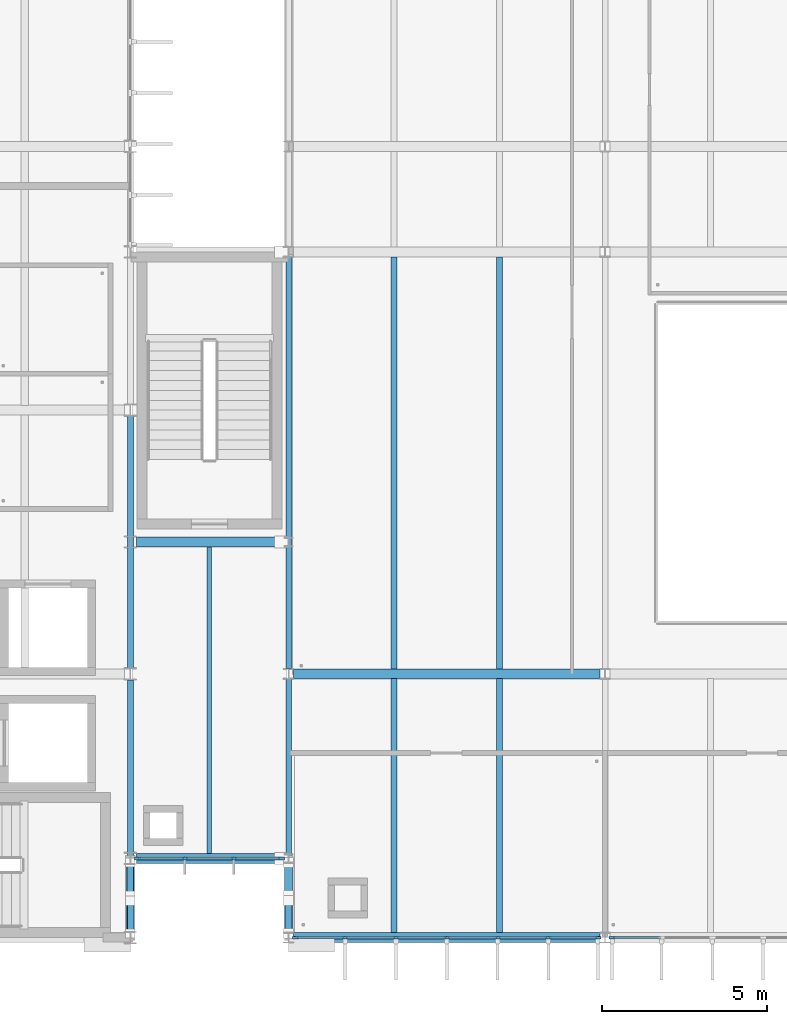
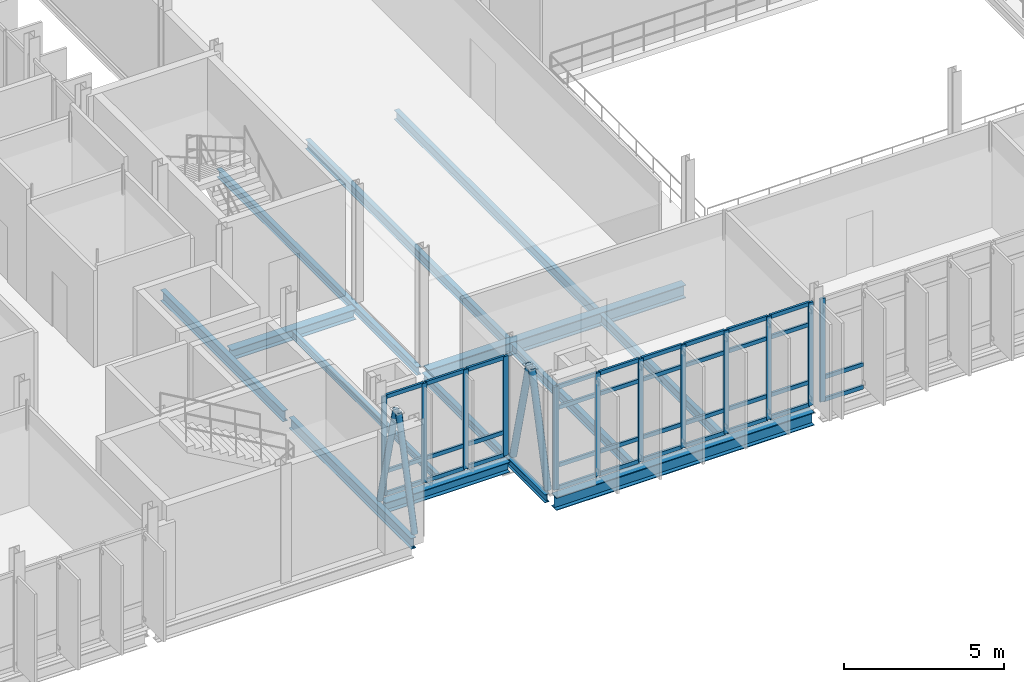
# One storey, part 21 of 110: 51 members, 13 beams, 3 elements without a shape of their own.
"""IFC4 building model written with IfcOpenShell, lengths in metres."""

import ifcopenshell
import ifcopenshell.guid

model = None  # the IFC model being written
_history = None  # IfcOwnerHistory: only IFC2X3 demands one
_inside = {}  # id of a spatial element -> (the spatial element, [elements in it])
_under = {}  # id of a project, library or spatial element -> (it, [spatial elements below it])
_declared = {}  # id of a project -> (the project, [libraries it declares])
_typed = {}  # id of a type object -> (the type object, [elements of that type])
_made_of = {}  # id of a material, layer set ... -> (it, [elements and type objects made of it])


def new_model(schema):
    """Start an empty IFC model of exactly this schema.

    Asked for "IFC4X3", IfcOpenShell would pick the latest addendum, in which some entities
    have other attributes; the version numbers below select the first issue.
    IFC2X3 requires an IfcOwnerHistory on every rooted entity: one is made here for all.
    """
    global model, _history
    if schema == "IFC4X3":
        model = ifcopenshell.file(schema_version=(4, 3, 0, 0))
    else:
        model = ifcopenshell.file(schema=schema)
    _inside.clear()
    _under.clear()
    _declared.clear()
    _typed.clear()
    _made_of.clear()
    _history = None
    if model.schema == "IFC2X3":
        org = make("IfcOrganization", Name="unknown")
        user = make(
            "IfcPersonAndOrganization",
            ThePerson=make("IfcPerson", FamilyName="unknown"),
            TheOrganization=org,
        )
        app = make(
            "IfcApplication",
            ApplicationDeveloper=org,
            Version="unknown",
            ApplicationFullName="unknown",
            ApplicationIdentifier="unknown",
        )
        _history = make(
            "IfcOwnerHistory",
            OwningUser=user,
            OwningApplication=app,
            ChangeAction="ADDED",
            CreationDate=0,
        )
    return model


def make(cls, **values):
    """One entity of the class cls with the attributes given. An attribute that is None is left unset."""
    return model.create_entity(
        cls, **{name: value for name, value in values.items() if value is not None}
    )


def rooted(cls, **values):
    """An entity with a GlobalId (a new one), such as an element, a storey or a relation."""
    return make(cls, GlobalId=ifcopenshell.guid.new(), OwnerHistory=_history, **values)


def si_unit(unit_type, name, prefix=None):
    """IfcSIUnit, for example si_unit("LENGTHUNIT", "METRE", prefix="MILLI")."""
    return make("IfcSIUnit", UnitType=unit_type, Prefix=prefix, Name=name)


def assignment(units):
    """IfcUnitAssignment: the units of a project."""
    return None if units is None else make("IfcUnitAssignment", Units=units)


def point(xyz):
    """IfcCartesianPoint."""
    return None if xyz is None else make("IfcCartesianPoint", Coordinates=xyz)


def direction(xyz):
    """IfcDirection."""
    return None if xyz is None else make("IfcDirection", DirectionRatios=xyz)


def frame(location, z_axis=None, x_axis=None):
    """IfcAxis2Placement3D, a coordinate frame: its origin and axes. An axis left out is left unset."""
    return make(
        "IfcAxis2Placement3D",
        Location=point(location),
        Axis=direction(z_axis),
        RefDirection=direction(x_axis),
    )


def frame_2d(location, x_axis=None):
    """IfcAxis2Placement2D, a coordinate frame in the plane: its origin and x axis."""
    return make(
        "IfcAxis2Placement2D", Location=point(location), RefDirection=direction(x_axis)
    )


def origin():
    """The frame at (0, 0, 0) with its axes left unset."""
    return frame((0.0, 0.0, 0.0))


def origin_2d():
    """The frame at (0, 0) in the plane with its x axis left unset."""
    return frame_2d((0.0, 0.0))


def place(relative_to, where):
    """IfcLocalPlacement: puts the frame where relative to a parent placement (None: the world)."""
    return make(
        "IfcLocalPlacement", PlacementRelTo=relative_to, RelativePlacement=where
    )


def context(
    kind, dimensions, precision=None, world=None, true_north=None, identifier=None
):
    """IfcGeometricRepresentationContext, for example the 3D "Model" context."""
    return make(
        "IfcGeometricRepresentationContext",
        ContextIdentifier=identifier,
        ContextType=kind,
        CoordinateSpaceDimension=dimensions,
        Precision=precision,
        WorldCoordinateSystem=world,
        TrueNorth=true_north,
    )


def subcontext(parent, identifier, kind, view, scale=None):
    """IfcGeometricRepresentationSubContext, for example "Body" below "Model"."""
    return make(
        "IfcGeometricRepresentationSubContext",
        ContextIdentifier=identifier,
        ContextType=kind,
        ParentContext=parent,
        TargetScale=scale,
        TargetView=view,
    )


def project(units=None, contexts=None):
    """IfcProject with its units and contexts."""
    return rooted(
        "IfcProject",
        Name="project",
        RepresentationContexts=contexts,
        UnitsInContext=assignment(units),
    )


def spatial(cls, under=None, at=None, **own):
    """A site, building, storey or space (cls), placed at a placement, below another one or the project."""
    s = rooted(cls, ObjectPlacement=at, **own)
    if under is not None:
        _under.setdefault(under.id(), (under, []))[1].append(s)
    return s


def profile(cls, at=None, kind="AREA", **sizes):
    """A parametric profile (cls). Its sizes go by their IFC names, for example OverallWidth=200.0."""
    return make(cls, ProfileType=kind, Position=at, **sizes)


def rectangle(**sizes):
    """IfcRectangleProfileDef."""
    return profile("IfcRectangleProfileDef", **sizes)


def hollow_circle(**sizes):
    """IfcCircleHollowProfileDef."""
    return profile("IfcCircleHollowProfileDef", **sizes)


def i_section(**sizes):
    """IfcIShapeProfileDef."""
    return profile("IfcIShapeProfileDef", **sizes)


def extrude(swept, where, along, depth):
    """IfcExtrudedAreaSolid: the profile swept, set in the frame where, extruded along a direction by depth."""
    return make(
        "IfcExtrudedAreaSolid",
        SweptArea=swept,
        Position=where,
        ExtrudedDirection=direction(along),
        Depth=depth,
    )


def shape(context_of_items, identifier, shape_type, items):
    """IfcShapeRepresentation: the items that make up one representation, for example the "Body"."""
    return make(
        "IfcShapeRepresentation",
        ContextOfItems=context_of_items,
        RepresentationIdentifier=identifier,
        RepresentationType=shape_type,
        Items=items,
    )


def material(Name=None, Category=None):
    """IfcMaterial."""
    return make("IfcMaterial", Name=Name, Category=Category)


def material_profile(
    of_material, cross_section, Name=None, Category=None, Priority=None
):
    """IfcMaterialProfile: a cross section and its material."""
    return make(
        "IfcMaterialProfile",
        Name=Name,
        Material=of_material,
        Profile=cross_section,
        Priority=Priority,
        Category=Category,
    )


def profile_set(profiles, Name=None, composite=None):
    """IfcMaterialProfileSet."""
    return make(
        "IfcMaterialProfileSet",
        Name=Name,
        MaterialProfiles=profiles,
        CompositeProfile=composite,
    )


def made_of(thing, what):
    """Note that an element or type object is made of a material, layer set ...; save() writes the relation."""
    if what is not None:
        _made_of.setdefault(what.id(), (what, []))[1].append(thing)
    return thing


def type_object(cls, material=None, **own):
    """A type object (cls), such as IfcWallType, which elements share."""
    return made_of(rooted(cls, **own), material)


def element(
    cls,
    number,
    at=None,
    inside=None,
    cuts=None,
    type_object=None,
    material=None,
    context=None,
    identifier="Body",
    shape_type=None,
    held_by="IfcProductDefinitionShape",
    body=None,
    shapes=None,
    **own,
):
    """One element of the class cls, such as IfcWall. Its Tag is "e" and its number.

    at: its placement. inside: the storey or other place that contains it. cuts: it is an
    opening in that element (IfcRelVoidsElement). A single representation is given by context,
    identifier, shape_type and body (its items); several are given by shapes. held_by: the class
    of the entity that holds the representations. save() writes the other relations.
    """
    e = rooted(cls, Tag="e%d" % number, ObjectPlacement=at, **own)
    if body is not None:
        shapes = [shape(context, identifier, shape_type, body)]
    if shapes is not None:
        e.Representation = make(held_by, Representations=shapes)
    if inside is not None:
        _inside.setdefault(inside.id(), (inside, []))[1].append(e)
    if cuts is not None:
        rooted(
            "IfcRelVoidsElement", RelatingBuildingElement=cuts, RelatedOpeningElement=e
        )
    if type_object is not None:
        _typed.setdefault(type_object.id(), (type_object, []))[1].append(e)
    return made_of(e, material)


def aggregate(whole, parts):
    """IfcRelAggregates: a whole, such as a stair, and the parts it consists of."""
    return rooted("IfcRelAggregates", RelatingObject=whole, RelatedObjects=parts)


def save(model, path):
    """Write the relations noted so far, then the file.

    IfcRelAggregates (storeys below a building ...), IfcRelContainedInSpatialStructure (elements
    in a storey), IfcRelDefinesByType, IfcRelAssociatesMaterial and IfcRelDeclares: one each for
    every whole, place, type object, material and project.
    """
    for whole, parts in _under.values():
        aggregate(whole, parts)
    for where, things in _inside.values():
        rooted(
            "IfcRelContainedInSpatialStructure",
            RelatedElements=things,
            RelatingStructure=where,
        )
    for kind, things in _typed.values():
        rooted("IfcRelDefinesByType", RelatedObjects=things, RelatingType=kind)
    for what, things in _made_of.values():
        rooted("IfcRelAssociatesMaterial", RelatedObjects=things, RelatingMaterial=what)
    for by, libraries in _declared.values():
        rooted("IfcRelDeclares", RelatingContext=by, RelatedDefinitions=libraries)
    model.write(path)


model = new_model("IFC4")

# Units and contexts
model_context = context("Model", 3, precision=1e-05, world=origin(), true_north=direction((0.0, 1.0)))
body_context = subcontext(model_context, "Body", "Model", "MODEL_VIEW")
ifc_project = project(units=[si_unit("LENGTHUNIT", "METRE"), si_unit("AREAUNIT", "SQUARE_METRE"), si_unit("VOLUMEUNIT", "CUBIC_METRE"), si_unit("PLANEANGLEUNIT", "RADIAN"), si_unit("MASSUNIT", "GRAM", prefix="KILO")], contexts=[model_context])

# Site, building, storey
site_placement = place(None, origin())
site = spatial("IfcSite", under=ifc_project, at=site_placement, CompositionType="ELEMENT")
building_placement = place(site_placement, origin())
building = spatial("IfcBuilding", under=site, at=building_placement, Name="Dunescarp Central Library", CompositionType="ELEMENT")
storey_placement = place(building_placement, frame((0.0, 0.0, 9.60009765625)))
storey = spatial("IfcBuildingStorey", under=building, at=storey_placement, Name="L02", CompositionType="ELEMENT", Elevation=9.60009765625)

# Curtain wall, members
ifc_material_1 = material(Name="Marine-grade anodised aluminium 6063-T6", Category="aluminium")
curtain_wall_type_1 = type_object("IfcCurtainWallType", Name="ARC-CW-STICK", PredefinedType="NOTDEFINED", material=ifc_material_1)
curtain_wall_1_placement = place(storey_placement, origin())
curtain_wall_1 = element("IfcCurtainWall", 1, at=curtain_wall_1_placement, inside=storey, type_object=curtain_wall_type_1, Name="L02 curtain wall CW-V2-054", PredefinedType="NOTDEFINED")
ifc_material_profile_1 = material_profile(ifc_material_1, rectangle(XDim=0.080078125, YDim=0.179931640625, at=origin_2d()), Name="AL 80x180")
ifc_profile_set_1 = profile_set([ifc_material_profile_1], Name="Marine-grade anodised aluminium 6063-T6")
member_type_1 = type_object("IfcMemberType", Name="ARC-CWM-180", PredefinedType="MULLION", material=ifc_profile_set_1)
member_1_placement = place(storey_placement, frame((47.784912109375, 4.800048828125, 0.0), z_axis=(0.0, 0.0, 1.0), x_axis=(0.0, -1.0, 0.0)))
member_1 = element("IfcMember", 2, at=member_1_placement, type_object=member_type_1, Name="CW-V2-054 mullion 1", PredefinedType="MULLION", context=body_context, shape_type="SweptSolid", body=[
    extrude(rectangle(XDim=0.080078125, YDim=0.179931640625, at=origin_2d()), origin(), (0.0, 0.0, 1.0), 3.9248046875),
])
member_2_placement = place(storey_placement, frame((46.283447265625, 4.800048828125, 0.0), z_axis=(0.0, 0.0, 1.0), x_axis=(0.0, -1.0, 0.0)))
member_2 = element("IfcMember", 3, at=member_2_placement, type_object=member_type_1, Name="CW-V2-054 mullion 2", PredefinedType="MULLION", context=body_context, shape_type="SweptSolid", body=[
    extrude(rectangle(XDim=0.080078125, YDim=0.179931640625, at=origin_2d()), origin(), (0.0, 0.0, 1.0), 3.9248046875),
])
member_3_placement = place(storey_placement, frame((44.74169921875, 4.800048828125, 0.0), z_axis=(0.0, 0.0, 1.0), x_axis=(0.0, -1.0, 0.0)))
member_3 = element("IfcMember", 4, at=member_3_placement, type_object=member_type_1, Name="CW-V2-054 mullion 3", PredefinedType="MULLION", context=body_context, shape_type="SweptSolid", body=[
    extrude(rectangle(XDim=0.080078125, YDim=0.179931640625, at=origin_2d()), origin(), (0.0, 0.0, 1.0), 3.9248046875),
])
member_4_placement = place(storey_placement, frame((43.199951171875, 4.800048828125, 0.0), z_axis=(0.0, 0.0, 1.0), x_axis=(0.0, -1.0, 0.0)))
member_4 = element("IfcMember", 5, at=member_4_placement, type_object=member_type_1, Name="CW-V2-054 mullion 4", PredefinedType="MULLION", context=body_context, shape_type="SweptSolid", body=[
    extrude(rectangle(XDim=0.080078125, YDim=0.179931640625, at=origin_2d()), origin(), (0.0, 0.0, 1.0), 3.9248046875),
])
member_5_placement = place(storey_placement, frame((41.658447265625, 4.800048828125, 0.0), z_axis=(0.0, 0.0, 1.0), x_axis=(0.0, -1.0, 0.0)))
member_5 = element("IfcMember", 6, at=member_5_placement, type_object=member_type_1, Name="CW-V2-054 mullion 5", PredefinedType="MULLION", context=body_context, shape_type="SweptSolid", body=[
    extrude(rectangle(XDim=0.080078125, YDim=0.179931640625, at=origin_2d()), origin(), (0.0, 0.0, 1.0), 3.9248046875),
])
member_6_placement = place(storey_placement, frame((40.11669921875, 4.800048828125, 0.0), z_axis=(0.0, 0.0, 1.0), x_axis=(0.0, -1.0, 0.0)))
member_6 = element("IfcMember", 7, at=member_6_placement, type_object=member_type_1, Name="CW-V2-054 mullion 6", PredefinedType="MULLION", context=body_context, shape_type="SweptSolid", body=[
    extrude(rectangle(XDim=0.080078125, YDim=0.179931640625, at=origin_2d()), origin(), (0.0, 0.0, 1.0), 3.9248046875),
])
member_7_placement = place(storey_placement, frame((38.614990234375, 4.800048828125, 0.0), z_axis=(0.0, 0.0, 1.0), x_axis=(0.0, -1.0, 0.0)))
member_7 = element("IfcMember", 8, at=member_7_placement, type_object=member_type_1, Name="CW-V2-054 mullion 7", PredefinedType="MULLION", context=body_context, shape_type="SweptSolid", body=[
    extrude(rectangle(XDim=0.080078125, YDim=0.179931640625, at=origin_2d()), origin(), (0.0, 0.0, 1.0), 3.9248046875),
])

# Curtain wall, member
curtain_wall_2_placement = place(storey_placement, origin())
curtain_wall_2 = element("IfcCurtainWall", 9, at=curtain_wall_2_placement, inside=storey, type_object=curtain_wall_type_1, Name="L02 curtain wall CW-V2-055", PredefinedType="NOTDEFINED")
member_8_placement = place(storey_placement, frame((48.215087890625, 4.800048828125, 0.0), z_axis=(0.0, 0.0, 1.0), x_axis=(0.0, -1.0, 0.0)))
member_8 = element("IfcMember", 10, at=member_8_placement, type_object=member_type_1, Name="CW-V2-055 mullion 7", PredefinedType="MULLION", context=body_context, shape_type="SweptSolid", body=[
    extrude(rectangle(XDim=0.080078125, YDim=0.179931640625, at=origin_2d()), origin(), (0.0, 0.0, 1.0), 3.9248046875),
])

# Curtain wall, members
curtain_wall_type_2 = type_object("IfcCurtainWallType", Name="ARC-CW-LINK", PredefinedType="USERDEFINED", material=ifc_material_1)
curtain_wall_3_placement = place(storey_placement, origin())
curtain_wall_3 = element("IfcCurtainWall", 11, at=curtain_wall_3_placement, inside=storey, type_object=curtain_wall_type_2, Name="L02 curtain wall CW-GL1-S-L02", ObjectType="GLAZED_LINK_WALL", PredefinedType="USERDEFINED")
member_9_placement = place(storey_placement, frame((38.18505859375, 7.199951171875, 0.0), z_axis=(0.0, 0.0, 1.0), x_axis=(0.0, -1.0, 0.0)))
member_9 = element("IfcMember", 12, at=member_9_placement, type_object=member_type_1, Name="CW-GL1-S-L02 mullion 1", PredefinedType="MULLION", context=body_context, shape_type="SweptSolid", body=[
    extrude(rectangle(XDim=0.080078125, YDim=0.179931640625, at=origin_2d()), origin(), (0.0, 0.0, 1.0), 3.784912109375),
])
member_10_placement = place(storey_placement, frame((36.74169921875, 7.199951171875, 0.0), z_axis=(0.0, 0.0, 1.0), x_axis=(0.0, -1.0, 0.0)))
member_10 = element("IfcMember", 13, at=member_10_placement, type_object=member_type_1, Name="CW-GL1-S-L02 mullion 2", PredefinedType="MULLION", context=body_context, shape_type="SweptSolid", body=[
    extrude(rectangle(XDim=0.080078125, YDim=0.179931640625, at=origin_2d()), origin(), (0.0, 0.0, 1.0), 3.784912109375),
])
member_11_placement = place(storey_placement, frame((35.25830078125, 7.199951171875, 0.0), z_axis=(0.0, 0.0, 1.0), x_axis=(0.0, -1.0, 0.0)))
member_11 = element("IfcMember", 14, at=member_11_placement, type_object=member_type_1, Name="CW-GL1-S-L02 mullion 3", PredefinedType="MULLION", context=body_context, shape_type="SweptSolid", body=[
    extrude(rectangle(XDim=0.080078125, YDim=0.179931640625, at=origin_2d()), origin(), (0.0, 0.0, 1.0), 3.784912109375),
])
member_12_placement = place(storey_placement, frame((33.81494140625, 7.199951171875, 0.0), z_axis=(0.0, 0.0, 1.0), x_axis=(0.0, -1.0, 0.0)))
member_12 = element("IfcMember", 15, at=member_12_placement, type_object=member_type_1, Name="CW-GL1-S-L02 mullion 4", PredefinedType="MULLION", context=body_context, shape_type="SweptSolid", body=[
    extrude(rectangle(XDim=0.080078125, YDim=0.179931640625, at=origin_2d()), origin(), (0.0, 0.0, 1.0), 3.784912109375),
])

# Member
ifc_material_profile_2 = material_profile(ifc_material_1, rectangle(XDim=0.080078125, YDim=0.14990234375, at=origin_2d()), Name="AL 80x150")
ifc_profile_set_2 = profile_set([ifc_material_profile_2], Name="Marine-grade anodised aluminium 6063-T6")
member_type_2 = type_object("IfcMemberType", Name="ARC-CWT-150", PredefinedType="USERDEFINED", material=ifc_profile_set_2)
member_13_placement = place(storey_placement, frame((47.7451171875, 4.800048828125, 0.039794921875), z_axis=(-1.0, 0.0, 0.0), x_axis=(0.0, -1.0, 0.0)))
member_13 = element("IfcMember", 16, at=member_13_placement, type_object=member_type_2, Name="CW-V2-054 transom 1.1", ObjectType="TRANSOM", PredefinedType="USERDEFINED", context=body_context, shape_type="SweptSolid", body=[
    extrude(rectangle(XDim=0.080078125, YDim=0.14990234375, at=origin_2d()), origin(), (0.0, 0.0, 1.0), 1.421875),
])

member_14_placement = place(storey_placement, frame((47.7451171875, 4.800048828125, 0.89990234375), z_axis=(-1.0, 0.0, 0.0), x_axis=(0.0, -1.0, 0.0)))
member_14 = element("IfcMember", 17, at=member_14_placement, type_object=member_type_2, Name="CW-V2-054 transom 1.2", ObjectType="TRANSOM", PredefinedType="USERDEFINED", context=body_context, shape_type="SweptSolid", body=[
    extrude(rectangle(XDim=0.080078125, YDim=0.14990234375, at=origin_2d()), origin(), (0.0, 0.0, 1.0), 1.421875),
])

member_15_placement = place(storey_placement, frame((47.7451171875, 4.800048828125, 3.099853515625), z_axis=(-1.0, 0.0, 0.0), x_axis=(0.0, -1.0, 0.0)))
member_15 = element("IfcMember", 18, at=member_15_placement, type_object=member_type_2, Name="CW-V2-054 transom 1.3", ObjectType="TRANSOM", PredefinedType="USERDEFINED", context=body_context, shape_type="SweptSolid", body=[
    extrude(rectangle(XDim=0.080078125, YDim=0.14990234375, at=origin_2d()), origin(), (0.0, 0.0, 1.0), 1.421875),
])

member_16_placement = place(storey_placement, frame((47.7451171875, 4.800048828125, 3.885009765625), z_axis=(-1.0, 0.0, 0.0), x_axis=(0.0, -1.0, 0.0)))
member_16 = element("IfcMember", 19, at=member_16_placement, type_object=member_type_2, Name="CW-V2-054 transom 1.4", ObjectType="TRANSOM", PredefinedType="USERDEFINED", context=body_context, shape_type="SweptSolid", body=[
    extrude(rectangle(XDim=0.080078125, YDim=0.14990234375, at=origin_2d()), origin(), (0.0, 0.0, 1.0), 1.421875),
])

member_17_placement = place(storey_placement, frame((46.243408203125, 4.800048828125, 0.039794921875), z_axis=(-1.0, 0.0, 0.0), x_axis=(0.0, -1.0, 0.0)))
member_17 = element("IfcMember", 20, at=member_17_placement, type_object=member_type_2, Name="CW-V2-054 transom 2.1", ObjectType="TRANSOM", PredefinedType="USERDEFINED", context=body_context, shape_type="SweptSolid", body=[
    extrude(rectangle(XDim=0.080078125, YDim=0.14990234375, at=origin_2d()), origin(), (0.0, 0.0, 1.0), 1.461669921875),
])

member_18_placement = place(storey_placement, frame((46.243408203125, 4.800048828125, 0.89990234375), z_axis=(-1.0, 0.0, 0.0), x_axis=(0.0, -1.0, 0.0)))
member_18 = element("IfcMember", 21, at=member_18_placement, type_object=member_type_2, Name="CW-V2-054 transom 2.2", ObjectType="TRANSOM", PredefinedType="USERDEFINED", context=body_context, shape_type="SweptSolid", body=[
    extrude(rectangle(XDim=0.080078125, YDim=0.14990234375, at=origin_2d()), origin(), (0.0, 0.0, 1.0), 1.461669921875),
])

member_19_placement = place(storey_placement, frame((46.243408203125, 4.800048828125, 3.099853515625), z_axis=(-1.0, 0.0, 0.0), x_axis=(0.0, -1.0, 0.0)))
member_19 = element("IfcMember", 22, at=member_19_placement, type_object=member_type_2, Name="CW-V2-054 transom 2.3", ObjectType="TRANSOM", PredefinedType="USERDEFINED", context=body_context, shape_type="SweptSolid", body=[
    extrude(rectangle(XDim=0.080078125, YDim=0.14990234375, at=origin_2d()), origin(), (0.0, 0.0, 1.0), 1.461669921875),
])

member_20_placement = place(storey_placement, frame((46.243408203125, 4.800048828125, 3.885009765625), z_axis=(-1.0, 0.0, 0.0), x_axis=(0.0, -1.0, 0.0)))
member_20 = element("IfcMember", 23, at=member_20_placement, type_object=member_type_2, Name="CW-V2-054 transom 2.4", ObjectType="TRANSOM", PredefinedType="USERDEFINED", context=body_context, shape_type="SweptSolid", body=[
    extrude(rectangle(XDim=0.080078125, YDim=0.14990234375, at=origin_2d()), origin(), (0.0, 0.0, 1.0), 1.461669921875),
])

member_21_placement = place(storey_placement, frame((44.70166015625, 4.800048828125, 0.039794921875), z_axis=(-1.0, 0.0, 0.0), x_axis=(0.0, -1.0, 0.0)))
member_21 = element("IfcMember", 24, at=member_21_placement, type_object=member_type_2, Name="CW-V2-054 transom 3.1", ObjectType="TRANSOM", PredefinedType="USERDEFINED", context=body_context, shape_type="SweptSolid", body=[
    extrude(rectangle(XDim=0.080078125, YDim=0.14990234375, at=origin_2d()), origin(), (0.0, 0.0, 1.0), 1.461669921875),
])

member_22_placement = place(storey_placement, frame((44.70166015625, 4.800048828125, 0.89990234375), z_axis=(-1.0, 0.0, 0.0), x_axis=(0.0, -1.0, 0.0)))
member_22 = element("IfcMember", 25, at=member_22_placement, type_object=member_type_2, Name="CW-V2-054 transom 3.2", ObjectType="TRANSOM", PredefinedType="USERDEFINED", context=body_context, shape_type="SweptSolid", body=[
    extrude(rectangle(XDim=0.080078125, YDim=0.14990234375, at=origin_2d()), origin(), (0.0, 0.0, 1.0), 1.461669921875),
])

member_23_placement = place(storey_placement, frame((44.70166015625, 4.800048828125, 3.099853515625), z_axis=(-1.0, 0.0, 0.0), x_axis=(0.0, -1.0, 0.0)))
member_23 = element("IfcMember", 26, at=member_23_placement, type_object=member_type_2, Name="CW-V2-054 transom 3.3", ObjectType="TRANSOM", PredefinedType="USERDEFINED", context=body_context, shape_type="SweptSolid", body=[
    extrude(rectangle(XDim=0.080078125, YDim=0.14990234375, at=origin_2d()), origin(), (0.0, 0.0, 1.0), 1.461669921875),
])

member_24_placement = place(storey_placement, frame((44.70166015625, 4.800048828125, 3.885009765625), z_axis=(-1.0, 0.0, 0.0), x_axis=(0.0, -1.0, 0.0)))
member_24 = element("IfcMember", 27, at=member_24_placement, type_object=member_type_2, Name="CW-V2-054 transom 3.4", ObjectType="TRANSOM", PredefinedType="USERDEFINED", context=body_context, shape_type="SweptSolid", body=[
    extrude(rectangle(XDim=0.080078125, YDim=0.14990234375, at=origin_2d()), origin(), (0.0, 0.0, 1.0), 1.461669921875),
])

member_25_placement = place(storey_placement, frame((43.159912109375, 4.800048828125, 0.039794921875), z_axis=(-1.0, 0.0, 0.0), x_axis=(0.0, -1.0, 0.0)))
member_25 = element("IfcMember", 28, at=member_25_placement, type_object=member_type_2, Name="CW-V2-054 transom 4.1", ObjectType="TRANSOM", PredefinedType="USERDEFINED", context=body_context, shape_type="SweptSolid", body=[
    extrude(rectangle(XDim=0.080078125, YDim=0.14990234375, at=origin_2d()), origin(), (0.0, 0.0, 1.0), 1.461669921875),
])

member_26_placement = place(storey_placement, frame((43.159912109375, 4.800048828125, 0.89990234375), z_axis=(-1.0, 0.0, 0.0), x_axis=(0.0, -1.0, 0.0)))
member_26 = element("IfcMember", 29, at=member_26_placement, type_object=member_type_2, Name="CW-V2-054 transom 4.2", ObjectType="TRANSOM", PredefinedType="USERDEFINED", context=body_context, shape_type="SweptSolid", body=[
    extrude(rectangle(XDim=0.080078125, YDim=0.14990234375, at=origin_2d()), origin(), (0.0, 0.0, 1.0), 1.461669921875),
])

member_27_placement = place(storey_placement, frame((43.159912109375, 4.800048828125, 3.099853515625), z_axis=(-1.0, 0.0, 0.0), x_axis=(0.0, -1.0, 0.0)))
member_27 = element("IfcMember", 30, at=member_27_placement, type_object=member_type_2, Name="CW-V2-054 transom 4.3", ObjectType="TRANSOM", PredefinedType="USERDEFINED", context=body_context, shape_type="SweptSolid", body=[
    extrude(rectangle(XDim=0.080078125, YDim=0.14990234375, at=origin_2d()), origin(), (0.0, 0.0, 1.0), 1.461669921875),
])

member_28_placement = place(storey_placement, frame((43.159912109375, 4.800048828125, 3.885009765625), z_axis=(-1.0, 0.0, 0.0), x_axis=(0.0, -1.0, 0.0)))
member_28 = element("IfcMember", 31, at=member_28_placement, type_object=member_type_2, Name="CW-V2-054 transom 4.4", ObjectType="TRANSOM", PredefinedType="USERDEFINED", context=body_context, shape_type="SweptSolid", body=[
    extrude(rectangle(XDim=0.080078125, YDim=0.14990234375, at=origin_2d()), origin(), (0.0, 0.0, 1.0), 1.461669921875),
])

member_29_placement = place(storey_placement, frame((41.618408203125, 4.800048828125, 0.039794921875), z_axis=(-1.0, 0.0, 0.0), x_axis=(0.0, -1.0, 0.0)))
member_29 = element("IfcMember", 32, at=member_29_placement, type_object=member_type_2, Name="CW-V2-054 transom 5.1", ObjectType="TRANSOM", PredefinedType="USERDEFINED", context=body_context, shape_type="SweptSolid", body=[
    extrude(rectangle(XDim=0.080078125, YDim=0.14990234375, at=origin_2d()), origin(), (0.0, 0.0, 1.0), 1.461669921875),
])

member_30_placement = place(storey_placement, frame((41.618408203125, 4.800048828125, 0.89990234375), z_axis=(-1.0, 0.0, 0.0), x_axis=(0.0, -1.0, 0.0)))
member_30 = element("IfcMember", 33, at=member_30_placement, type_object=member_type_2, Name="CW-V2-054 transom 5.2", ObjectType="TRANSOM", PredefinedType="USERDEFINED", context=body_context, shape_type="SweptSolid", body=[
    extrude(rectangle(XDim=0.080078125, YDim=0.14990234375, at=origin_2d()), origin(), (0.0, 0.0, 1.0), 1.461669921875),
])

member_31_placement = place(storey_placement, frame((41.618408203125, 4.800048828125, 3.099853515625), z_axis=(-1.0, 0.0, 0.0), x_axis=(0.0, -1.0, 0.0)))
member_31 = element("IfcMember", 34, at=member_31_placement, type_object=member_type_2, Name="CW-V2-054 transom 5.3", ObjectType="TRANSOM", PredefinedType="USERDEFINED", context=body_context, shape_type="SweptSolid", body=[
    extrude(rectangle(XDim=0.080078125, YDim=0.14990234375, at=origin_2d()), origin(), (0.0, 0.0, 1.0), 1.461669921875),
])

member_32_placement = place(storey_placement, frame((41.618408203125, 4.800048828125, 3.885009765625), z_axis=(-1.0, 0.0, 0.0), x_axis=(0.0, -1.0, 0.0)))
member_32 = element("IfcMember", 35, at=member_32_placement, type_object=member_type_2, Name="CW-V2-054 transom 5.4", ObjectType="TRANSOM", PredefinedType="USERDEFINED", context=body_context, shape_type="SweptSolid", body=[
    extrude(rectangle(XDim=0.080078125, YDim=0.14990234375, at=origin_2d()), origin(), (0.0, 0.0, 1.0), 1.461669921875),
])

member_33_placement = place(storey_placement, frame((40.07666015625, 4.800048828125, 0.039794921875), z_axis=(-1.0, 0.0, 0.0), x_axis=(0.0, -1.0, 0.0)))
member_33 = element("IfcMember", 36, at=member_33_placement, type_object=member_type_2, Name="CW-V2-054 transom 6.1", ObjectType="TRANSOM", PredefinedType="USERDEFINED", context=body_context, shape_type="SweptSolid", body=[
    extrude(rectangle(XDim=0.080078125, YDim=0.14990234375, at=origin_2d()), origin(), (0.0, 0.0, 1.0), 1.421630859375),
])

member_34_placement = place(storey_placement, frame((40.07666015625, 4.800048828125, 0.89990234375), z_axis=(-1.0, 0.0, 0.0), x_axis=(0.0, -1.0, 0.0)))
member_34 = element("IfcMember", 37, at=member_34_placement, type_object=member_type_2, Name="CW-V2-054 transom 6.2", ObjectType="TRANSOM", PredefinedType="USERDEFINED", context=body_context, shape_type="SweptSolid", body=[
    extrude(rectangle(XDim=0.080078125, YDim=0.14990234375, at=origin_2d()), origin(), (0.0, 0.0, 1.0), 1.421630859375),
])

member_35_placement = place(storey_placement, frame((40.07666015625, 4.800048828125, 3.099853515625), z_axis=(-1.0, 0.0, 0.0), x_axis=(0.0, -1.0, 0.0)))
member_35 = element("IfcMember", 38, at=member_35_placement, type_object=member_type_2, Name="CW-V2-054 transom 6.3", ObjectType="TRANSOM", PredefinedType="USERDEFINED", context=body_context, shape_type="SweptSolid", body=[
    extrude(rectangle(XDim=0.080078125, YDim=0.14990234375, at=origin_2d()), origin(), (0.0, 0.0, 1.0), 1.421630859375),
])

member_36_placement = place(storey_placement, frame((40.07666015625, 4.800048828125, 3.885009765625), z_axis=(-1.0, 0.0, 0.0), x_axis=(0.0, -1.0, 0.0)))
member_36 = element("IfcMember", 39, at=member_36_placement, type_object=member_type_2, Name="CW-V2-054 transom 6.4", ObjectType="TRANSOM", PredefinedType="USERDEFINED", context=body_context, shape_type="SweptSolid", body=[
    extrude(rectangle(XDim=0.080078125, YDim=0.14990234375, at=origin_2d()), origin(), (0.0, 0.0, 1.0), 1.421630859375),
])

aggregate(curtain_wall_1, [member_1, member_2, member_3, member_4, member_5, member_6, member_7, member_13, member_14, member_15, member_16, member_17, member_18, member_19, member_20, member_21, member_22, member_23, member_24, member_25, member_26, member_27, member_28, member_29, member_30, member_31, member_32, member_33, member_34, member_35, member_36])

member_37_placement = place(storey_placement, frame((49.6767578125, 4.800048828125, 0.039794921875), z_axis=(-1.0, 0.0, 0.0), x_axis=(0.0, -1.0, 0.0)))
member_37 = element("IfcMember", 40, at=member_37_placement, type_object=member_type_2, Name="CW-V2-055 transom 6.1", ObjectType="TRANSOM", PredefinedType="USERDEFINED", context=body_context, shape_type="SweptSolid", body=[
    extrude(rectangle(XDim=0.080078125, YDim=0.14990234375, at=origin_2d()), origin(), (0.0, 0.0, 1.0), 1.421875),
])

member_38_placement = place(storey_placement, frame((49.6767578125, 4.800048828125, 0.89990234375), z_axis=(-1.0, 0.0, 0.0), x_axis=(0.0, -1.0, 0.0)))
member_38 = element("IfcMember", 41, at=member_38_placement, type_object=member_type_2, Name="CW-V2-055 transom 6.2", ObjectType="TRANSOM", PredefinedType="USERDEFINED", context=body_context, shape_type="SweptSolid", body=[
    extrude(rectangle(XDim=0.080078125, YDim=0.14990234375, at=origin_2d()), origin(), (0.0, 0.0, 1.0), 1.421875),
])

aggregate(curtain_wall_2, [member_8, member_37, member_38])

member_39_placement = place(storey_placement, frame((38.14501953125, 7.199951171875, 0.039794921875), z_axis=(-1.0, 0.0, 0.0), x_axis=(0.0, -1.0, 0.0)))
member_39 = element("IfcMember", 42, at=member_39_placement, type_object=member_type_2, Name="CW-GL1-S-L02 transom 1.1", ObjectType="TRANSOM", PredefinedType="USERDEFINED", context=body_context, shape_type="SweptSolid", body=[
    extrude(rectangle(XDim=0.080078125, YDim=0.14990234375, at=origin_2d()), origin(), (0.0, 0.0, 1.0), 1.36328125),
])

member_40_placement = place(storey_placement, frame((38.14501953125, 7.199951171875, 0.89990234375), z_axis=(-1.0, 0.0, 0.0), x_axis=(0.0, -1.0, 0.0)))
member_40 = element("IfcMember", 43, at=member_40_placement, type_object=member_type_2, Name="CW-GL1-S-L02 transom 1.2", ObjectType="TRANSOM", PredefinedType="USERDEFINED", context=body_context, shape_type="SweptSolid", body=[
    extrude(rectangle(XDim=0.080078125, YDim=0.14990234375, at=origin_2d()), origin(), (0.0, 0.0, 1.0), 1.36328125),
])

member_41_placement = place(storey_placement, frame((38.14501953125, 7.199951171875, 3.744873046875), z_axis=(-1.0, 0.0, 0.0), x_axis=(0.0, -1.0, 0.0)))
member_41 = element("IfcMember", 44, at=member_41_placement, type_object=member_type_2, Name="CW-GL1-S-L02 transom 1.3", ObjectType="TRANSOM", PredefinedType="USERDEFINED", context=body_context, shape_type="SweptSolid", body=[
    extrude(rectangle(XDim=0.080078125, YDim=0.14990234375, at=origin_2d()), origin(), (0.0, 0.0, 1.0), 1.36328125),
])

member_42_placement = place(storey_placement, frame((36.70166015625, 7.199951171875, 0.039794921875), z_axis=(-1.0, 0.0, 0.0), x_axis=(0.0, -1.0, 0.0)))
member_42 = element("IfcMember", 45, at=member_42_placement, type_object=member_type_2, Name="CW-GL1-S-L02 transom 2.1", ObjectType="TRANSOM", PredefinedType="USERDEFINED", context=body_context, shape_type="SweptSolid", body=[
    extrude(rectangle(XDim=0.080078125, YDim=0.14990234375, at=origin_2d()), origin(), (0.0, 0.0, 1.0), 1.4033203125),
])

member_43_placement = place(storey_placement, frame((36.70166015625, 7.199951171875, 0.89990234375), z_axis=(-1.0, 0.0, 0.0), x_axis=(0.0, -1.0, 0.0)))
member_43 = element("IfcMember", 46, at=member_43_placement, type_object=member_type_2, Name="CW-GL1-S-L02 transom 2.2", ObjectType="TRANSOM", PredefinedType="USERDEFINED", context=body_context, shape_type="SweptSolid", body=[
    extrude(rectangle(XDim=0.080078125, YDim=0.14990234375, at=origin_2d()), origin(), (0.0, 0.0, 1.0), 1.4033203125),
])

member_44_placement = place(storey_placement, frame((36.70166015625, 7.199951171875, 3.744873046875), z_axis=(-1.0, 0.0, 0.0), x_axis=(0.0, -1.0, 0.0)))
member_44 = element("IfcMember", 47, at=member_44_placement, type_object=member_type_2, Name="CW-GL1-S-L02 transom 2.3", ObjectType="TRANSOM", PredefinedType="USERDEFINED", context=body_context, shape_type="SweptSolid", body=[
    extrude(rectangle(XDim=0.080078125, YDim=0.14990234375, at=origin_2d()), origin(), (0.0, 0.0, 1.0), 1.4033203125),
])

member_45_placement = place(storey_placement, frame((35.21826171875, 7.199951171875, 0.039794921875), z_axis=(-1.0, 0.0, 0.0), x_axis=(0.0, -1.0, 0.0)))
member_45 = element("IfcMember", 48, at=member_45_placement, type_object=member_type_2, Name="CW-GL1-S-L02 transom 3.1", ObjectType="TRANSOM", PredefinedType="USERDEFINED", context=body_context, shape_type="SweptSolid", body=[
    extrude(rectangle(XDim=0.080078125, YDim=0.14990234375, at=origin_2d()), origin(), (0.0, 0.0, 1.0), 1.36328125),
])

member_46_placement = place(storey_placement, frame((35.21826171875, 7.199951171875, 0.89990234375), z_axis=(-1.0, 0.0, 0.0), x_axis=(0.0, -1.0, 0.0)))
member_46 = element("IfcMember", 49, at=member_46_placement, type_object=member_type_2, Name="CW-GL1-S-L02 transom 3.2", ObjectType="TRANSOM", PredefinedType="USERDEFINED", context=body_context, shape_type="SweptSolid", body=[
    extrude(rectangle(XDim=0.080078125, YDim=0.14990234375, at=origin_2d()), origin(), (0.0, 0.0, 1.0), 1.36328125),
])

member_47_placement = place(storey_placement, frame((35.21826171875, 7.199951171875, 3.744873046875), z_axis=(-1.0, 0.0, 0.0), x_axis=(0.0, -1.0, 0.0)))
member_47 = element("IfcMember", 50, at=member_47_placement, type_object=member_type_2, Name="CW-GL1-S-L02 transom 3.3", ObjectType="TRANSOM", PredefinedType="USERDEFINED", context=body_context, shape_type="SweptSolid", body=[
    extrude(rectangle(XDim=0.080078125, YDim=0.14990234375, at=origin_2d()), origin(), (0.0, 0.0, 1.0), 1.36328125),
])

aggregate(curtain_wall_3, [member_9, member_10, member_11, member_12, member_39, member_40, member_41, member_42, member_43, member_44, member_45, member_46, member_47])

# Beams
ifc_material_2 = material(Name="Steel S355JR", Category="steel")
ifc_material_profile_3 = material_profile(ifc_material_2, i_section(OverallWidth=0.300048828125, OverallDepth=0.389892578125, WebThickness=0.010986328125, FlangeThickness=0.01904296875, at=origin_2d()), Name="HEA 400")
ifc_profile_set_3 = profile_set([ifc_material_profile_3], Name="Steel S355JR")
beam_type_1 = type_object("IfcBeamType", Name="STR-BM-HEA400", PredefinedType="BEAM", material=ifc_profile_set_3)
for number, where, z_axis, x_axis, name in (
    (51, (33.783935546875, 7.199951171875, -0.405029296875), (1.0, 0.0, 0.0), (0.0, 1.0, 0.0), "L02 girder BM-L02-1219"),
    (52, (33.783935546875, 16.800048828125, -0.405029296875), (1.0, 0.0, 0.0), (0.0, 1.0, 0.0), "L02 girder BM-L02-1220"),
):
    element("IfcBeam", number, at=place(storey_placement, frame(where, z_axis=z_axis, x_axis=x_axis)), inside=storey, type_object=beam_type_1, Name=name, PredefinedType="BEAM", context=body_context, shape_type="SweptSolid", body=[
        extrude(i_section(OverallWidth=0.300048828125, OverallDepth=0.389892578125, WebThickness=0.010986328125, FlangeThickness=0.01904296875, at=origin_2d()), origin(), (0.0, 0.0, 1.0), 4.489990234375),
    ])
ifc_material_profile_4 = material_profile(ifc_material_2, i_section(OverallWidth=0.300048828125, OverallDepth=0.5, WebThickness=0.014404296875, FlangeThickness=0.028076171875, at=origin_2d()), Name="HEB 500")
ifc_profile_set_4 = profile_set([ifc_material_profile_4], Name="Steel S355JR")
beam_type_2 = type_object("IfcBeamType", Name="STR-BM-HEB500", PredefinedType="BEAM", material=ifc_profile_set_4)
for number, where, z_axis, x_axis, name in (
    (53, (38.552001953125, 4.800048828125, -0.460205078125), (1.0, 0.0, 0.0), (0.0, 1.0, 0.0), "L02 girder BM-L02-0403"),
    (54, (38.552001953125, 12.800048828125, -0.460205078125), (1.0, 0.0, 0.0), (0.0, 1.0, 0.0), "L02 girder BM-L02-0404"),
):
    element("IfcBeam", number, at=place(storey_placement, frame(where, z_axis=z_axis, x_axis=x_axis)), inside=storey, type_object=beam_type_2, Name=name, PredefinedType="BEAM", context=body_context, shape_type="SweptSolid", body=[
        extrude(i_section(OverallWidth=0.300048828125, OverallDepth=0.5, WebThickness=0.014404296875, FlangeThickness=0.028076171875, at=origin_2d()), origin(), (0.0, 0.0, 1.0), 9.2958984375),
    ])
ifc_material_profile_5 = material_profile(ifc_material_2, i_section(OverallWidth=0.1669921875, OverallDepth=0.310302734375, WebThickness=0.0078125, FlangeThickness=0.013671875, at=origin_2d()), Name="UB 305x165x54")
ifc_profile_set_5 = profile_set([ifc_material_profile_5], Name="Steel S355JR")
beam_type_3 = type_object("IfcBeamType", Name="STR-BM-UB305X54", PredefinedType="BEAM", material=ifc_profile_set_5)
beam_1_placement = place(storey_placement, frame((38.39990234375, 4.95703125, -0.364990234375), z_axis=(0.0, 1.0, 0.0), x_axis=(-1.0, 0.0, 0.0)))
element("IfcBeam", 55, at=beam_1_placement, inside=storey, type_object=beam_type_3, Name="L02 girder BM-L02-0405", PredefinedType="BEAM", context=body_context, shape_type="SweptSolid", body=[
    extrude(i_section(OverallWidth=0.1669921875, OverallDepth=0.310302734375, WebThickness=0.0078125, FlangeThickness=0.013671875, at=origin_2d()), origin(), (0.0, 0.0, 1.0), 7.68603515625),
])
beam_2_placement = place(storey_placement, frame((38.39990234375, 12.95703125, -0.364990234375), z_axis=(0.0, 1.0, 0.0), x_axis=(-1.0, 0.0, 0.0)))
element("IfcBeam", 56, at=beam_2_placement, inside=storey, type_object=beam_type_3, Name="L02 girder BM-L02-0410", PredefinedType="BEAM", context=body_context, shape_type="SweptSolid", body=[
    extrude(i_section(OverallWidth=0.1669921875, OverallDepth=0.310302734375, WebThickness=0.0078125, FlangeThickness=0.013671875, at=origin_2d()), origin(), (0.0, 0.0, 1.0), 12.486083984375),
])
ifc_material_profile_6 = material_profile(ifc_material_2, i_section(OverallWidth=0.179443359375, OverallDepth=0.412841796875, WebThickness=0.009521484375, FlangeThickness=0.01611328125, at=origin_2d()), Name="UB 406x178x74")
ifc_profile_set_6 = profile_set([ifc_material_profile_6], Name="Steel S355JR")
beam_type_4 = type_object("IfcBeamType", Name="STR-BM-UB406", PredefinedType="BEAM", material=ifc_profile_set_6)
beam_3_placement = place(storey_placement, frame((33.60009765625, 4.98095703125, -0.416015625), z_axis=(0.0, 1.0, 0.0), x_axis=(-1.0, 0.0, 0.0)))
element("IfcBeam", 57, at=beam_3_placement, inside=storey, type_object=beam_type_4, Name="L02 girder BM-L02-0098", PredefinedType="BEAM", context=body_context, shape_type="SweptSolid", body=[
    extrude(i_section(OverallWidth=0.179443359375, OverallDepth=0.412841796875, WebThickness=0.009521484375, FlangeThickness=0.01611328125, at=origin_2d()), origin(), (0.0, 0.0, 1.0), 7.635009765625),
])
beam_4_placement = place(storey_placement, frame((33.60009765625, 12.98388671875, -0.416015625), z_axis=(0.0, 1.0, 0.0), x_axis=(-1.0, 0.0, 0.0)))
element("IfcBeam", 58, at=beam_4_placement, inside=storey, type_object=beam_type_4, Name="L02 girder BM-L02-0100", PredefinedType="BEAM", context=body_context, shape_type="SweptSolid", body=[
    extrude(i_section(OverallWidth=0.179443359375, OverallDepth=0.412841796875, WebThickness=0.009521484375, FlangeThickness=0.01611328125, at=origin_2d()), origin(), (0.0, 0.0, 1.0), 7.632080078125),
])

# Members
ifc_material_3 = material(Name="Steel S355J0", Category="steel")
ifc_material_profile_7 = material_profile(ifc_material_3, hollow_circle(Radius=0.109619140625, WallThickness=0.010009765625, at=origin_2d()), Name="CHS 219.1x10")
ifc_profile_set_7 = profile_set([ifc_material_profile_7], Name="Steel S355J0")
member_type_3 = type_object("IfcMemberType", Name="STR-BR-219", PredefinedType="BRACE", material=ifc_profile_set_7)
for number, where, z_axis, x_axis, name in (
    (59, (33.60009765625, 4.919921875, 0.0), (0.0, 0.241398356802, 0.970426109157), (-1.0, 0.0, 0.0), "L02 concentric brace BR-L02-005"),
    (60, (33.60009765625, 7.080078125, 0.0), (0.0, -0.241398356802, 0.970426109157), (1.0, 0.0, 0.0), "L02 concentric brace BR-L02-006"),
):
    element("IfcMember", number, at=place(storey_placement, frame(where, z_axis=z_axis, x_axis=x_axis)), inside=storey, type_object=member_type_3, Name=name, PredefinedType="BRACE", context=body_context, shape_type="SweptSolid", body=[
        extrude(hollow_circle(Radius=0.109619140625, WallThickness=0.010009765625, at=origin_2d()), origin(), (0.0, 0.0, 1.0), 4.142578125),
    ])
ifc_material_profile_8 = material_profile(ifc_material_3, hollow_circle(Radius=0.122314453125, WallThickness=0.010009765625, at=origin_2d()), Name="CHS 244.5x10")
ifc_profile_set_8 = profile_set([ifc_material_profile_8], Name="Steel S355J0")
member_type_4 = type_object("IfcMemberType", Name="STR-BR-244", PredefinedType="BRACE", material=ifc_profile_set_8)
for number, where, z_axis, x_axis, name in (
    (61, (38.39990234375, 4.919921875, 0.0), (0.0, 0.241398356802, 0.970426109157), (-1.0, 0.0, 0.0), "L02 concentric brace BR-L02-017"),
    (62, (38.39990234375, 7.080078125, 0.0), (0.0, -0.241398356802, 0.970426109157), (1.0, 0.0, 0.0), "L02 concentric brace BR-L02-018"),
):
    element("IfcMember", number, at=place(storey_placement, frame(where, z_axis=z_axis, x_axis=x_axis)), inside=storey, type_object=member_type_4, Name=name, PredefinedType="BRACE", context=body_context, shape_type="SweptSolid", body=[
        extrude(hollow_circle(Radius=0.122314453125, WallThickness=0.010009765625, at=origin_2d()), origin(), (0.0, 0.0, 1.0), 4.142578125),
    ])

# Beams
ifc_material_profile_9 = material_profile(ifc_material_2, i_section(OverallWidth=0.135009765625, OverallDepth=0.27001953125, WebThickness=0.006591796875, FlangeThickness=0.01025390625, at=origin_2d()), Name="IPE 270")
ifc_profile_set_9 = profile_set([ifc_material_profile_9], Name="Steel S355JR")
beam_type_5 = type_object("IfcBeamType", Name="STR-JS-IPE270", PredefinedType="JOIST", material=ifc_profile_set_9)
beam_5_placement = place(storey_placement, frame((36.0, 7.347900390625, -0.34521484375), z_axis=(0.0, 1.0, 0.0), x_axis=(-1.0, 0.0, 0.0)))
element("IfcBeam", 63, at=beam_5_placement, inside=storey, type_object=beam_type_5, Name="L02 joist JS-L02-1221", PredefinedType="JOIST", context=body_context, shape_type="SweptSolid", body=[
    extrude(i_section(OverallWidth=0.135009765625, OverallDepth=0.27001953125, WebThickness=0.006591796875, FlangeThickness=0.01025390625, at=origin_2d()), origin(), (0.0, 0.0, 1.0), 9.30419921875),
])
ifc_material_profile_10 = material_profile(ifc_material_2, i_section(OverallWidth=0.169921875, OverallDepth=0.360107421875, WebThickness=0.008056640625, FlangeThickness=0.0126953125, at=origin_2d()), Name="IPE 360")
ifc_profile_set_10 = profile_set([ifc_material_profile_10], Name="Steel S355JR")
beam_type_6 = type_object("IfcBeamType", Name="STR-JS-IPE360", PredefinedType="JOIST", material=ifc_profile_set_10)
for number, where, z_axis, x_axis, name in (
    (64, (41.60009765625, 4.947998046875, -0.39013671875), (0.0, 1.0, 0.0), (-1.0, 0.0, 0.0), "L02 joist JS-L02-0407"),
    (65, (44.800048828125, 4.947998046875, -0.39013671875), (0.0, 1.0, 0.0), (-1.0, 0.0, 0.0), "L02 joist JS-L02-0408"),
):
    element("IfcBeam", number, at=place(storey_placement, frame(where, z_axis=z_axis, x_axis=x_axis)), inside=storey, type_object=beam_type_6, Name=name, PredefinedType="JOIST", context=body_context, shape_type="SweptSolid", body=[
        extrude(i_section(OverallWidth=0.169921875, OverallDepth=0.360107421875, WebThickness=0.008056640625, FlangeThickness=0.0126953125, at=origin_2d()), origin(), (0.0, 0.0, 1.0), 7.7041015625),
    ])
for number, where, z_axis, x_axis, name in (
    (66, (41.60009765625, 12.947998046875, -0.39013671875), (0.0, 1.0, 0.0), (-1.0, 0.0, 0.0), "L02 joist JS-L02-0412"),
    (67, (44.800048828125, 12.947998046875, -0.39013671875), (0.0, 1.0, 0.0), (-1.0, 0.0, 0.0), "L02 joist JS-L02-0413"),
):
    element("IfcBeam", number, at=place(storey_placement, frame(where, z_axis=z_axis, x_axis=x_axis)), inside=storey, type_object=beam_type_6, Name=name, PredefinedType="JOIST", context=body_context, shape_type="SweptSolid", body=[
        extrude(i_section(OverallWidth=0.169921875, OverallDepth=0.360107421875, WebThickness=0.008056640625, FlangeThickness=0.0126953125, at=origin_2d()), origin(), (0.0, 0.0, 1.0), 12.50390625),
    ])

save(model, "model.ifc")
